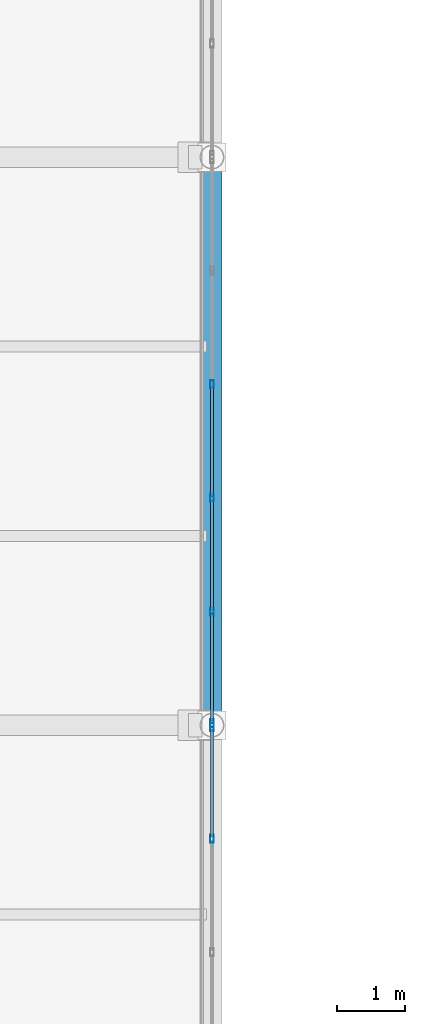
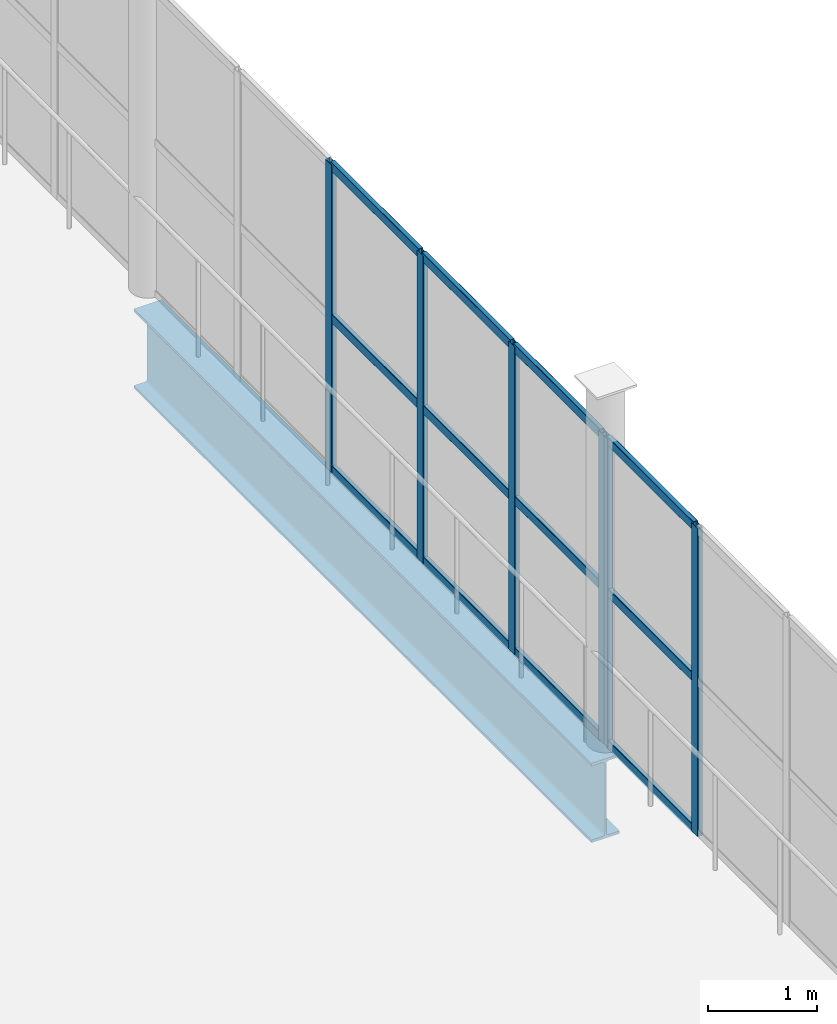
# One storey, part 57 of 184: 18 members, 1 beam, 2 elements without a shape of their own.
"""IFC4 building model written with IfcOpenShell, lengths in metres."""

from ifc_helpers import new_model, si_unit, direction, frame, origin, origin_2d, place, context, subcontext, project, spatial, hollow_rectangle, i_section, extrude, material, layer, layer_set, material_profile, profile_set, type_object, element, aggregate, save


model = new_model("IFC4")

# Units and contexts
model_context = context("Model", 3, precision=1e-05, world=origin(), true_north=direction((0.0, 1.0)))
body_context = subcontext(model_context, "Body", "Model", "MODEL_VIEW")
ifc_project = project(units=[si_unit("LENGTHUNIT", "METRE"), si_unit("AREAUNIT", "SQUARE_METRE"), si_unit("VOLUMEUNIT", "CUBIC_METRE"), si_unit("PLANEANGLEUNIT", "RADIAN"), si_unit("MASSUNIT", "GRAM", prefix="KILO")], contexts=[model_context])

# Site, building, storey
site_placement = place(None, origin())
site = spatial("IfcSite", under=ifc_project, at=site_placement, CompositionType="ELEMENT")
building_placement = place(site_placement, origin())
building = spatial("IfcBuilding", under=site, at=building_placement, Name="Qalvenar Corner Mobility Hub", CompositionType="ELEMENT")
storey_placement = place(building_placement, frame((0.0, 0.0, 9.0)))
storey = spatial("IfcBuildingStorey", under=building, at=storey_placement, Name="L02", CompositionType="ELEMENT", Elevation=9.0)

# Beam
ifc_material_1 = material(Name="Steel S355", Category="steel")
ifc_material_profile_1 = material_profile(ifc_material_1, i_section(OverallWidth=0.300048828125, OverallDepth=0.889892578125, WebThickness=0.01611328125, FlangeThickness=0.030029296875, FilletRadius=0.027099609375, at=origin_2d()), Name="HEA900")
ifc_profile_set_1 = profile_set([ifc_material_profile_1], Name="Steel S355")
beam_type = type_object("IfcBeamType", Name="BM-BRG900", PredefinedType="BEAM", material=ifc_profile_set_1)
beam_placement = place(storey_placement, frame((58.800048828125, 42.0, -0.635009765625), z_axis=(0.0, 1.0, 0.0), x_axis=(-1.0, 0.0, 0.0)))
element("IfcBeam", 1, at=beam_placement, inside=storey, type_object=beam_type, Name="Court Link Bridge Girder BRG-2177", PredefinedType="BEAM", context=body_context, shape_type="SweptSolid", body=[
    extrude(i_section(OverallWidth=0.300048828125, OverallDepth=0.889892578125, WebThickness=0.01611328125, FlangeThickness=0.030029296875, FilletRadius=0.027099609375, at=origin_2d()), origin(), (0.0, 0.0, 1.0), 8.39990234375),
])

# Curtain wall, members
ifc_material_2 = material(Name="Anodised Aluminium and Low-E Glazing", Category="aluminium")
ifc_layer = layer(ifc_material_2, 0.1201171875)
ifc_layer_set = layer_set([ifc_layer], Name="Anodised Aluminium and Low-E Glazing")
curtain_wall_type = type_object("IfcCurtainWallType", Name="CW-BRG-84X28", PredefinedType="NOTDEFINED", material=ifc_layer_set)
curtain_wall_1_placement = place(storey_placement, origin())
curtain_wall_1 = element("IfcCurtainWall", 2, at=curtain_wall_1_placement, inside=storey, type_object=curtain_wall_type, Name="Glazed Curtain Wall CW-BRG-L02-E0", PredefinedType="NOTDEFINED")
ifc_material_3 = material(Name="Anodised Aluminium 6063-T6", Category="aluminium")
ifc_material_profile_2 = material_profile(ifc_material_3, hollow_rectangle(XDim=0.054931640625, YDim=0.1201171875, WallThickness=0.00341796875, InnerFilletRadius=0.00341796875, OuterFilletRadius=0.007080078125, at=origin_2d()), Name="RHS120x55x3.5")
ifc_profile_set_2 = profile_set([ifc_material_profile_2], Name="Anodised Aluminium 6063-T6")
member_type_1 = type_object("IfcMemberType", Name="CW-MUL120", PredefinedType="MULLION", material=ifc_profile_set_2)
member_1_placement = place(storey_placement, frame((58.800048828125, 40.320068359375, 0.0), z_axis=(0.0, 0.0, 1.0), x_axis=(-1.0, 0.0, 0.0)))
member_1 = element("IfcMember", 3, at=member_1_placement, type_object=member_type_1, Name="CW-11 mullion 5", PredefinedType="MULLION", context=body_context, shape_type="SweptSolid", body=[
    extrude(hollow_rectangle(XDim=0.054931640625, YDim=0.1201171875, WallThickness=0.00341796875, InnerFilletRadius=0.00341796875, OuterFilletRadius=0.007080078125, at=origin_2d()), origin(), (0.0, 0.0, 1.0), 3.449951171875),
])
member_2_placement = place(storey_placement, frame((58.800048828125, 41.969970703125, 0.0), z_axis=(0.0, 0.0, 1.0), x_axis=(-1.0, 0.0, 0.0)))
member_2 = element("IfcMember", 4, at=member_2_placement, type_object=member_type_1, Name="CW-11 mullion 6", PredefinedType="MULLION", context=body_context, shape_type="SweptSolid", body=[
    extrude(hollow_rectangle(XDim=0.054931640625, YDim=0.1201171875, WallThickness=0.00341796875, InnerFilletRadius=0.00341796875, OuterFilletRadius=0.007080078125, at=origin_2d()), origin(), (0.0, 0.0, 1.0), 3.449951171875),
])

curtain_wall_2_placement = place(storey_placement, origin())
curtain_wall_2 = element("IfcCurtainWall", 5, at=curtain_wall_2_placement, inside=storey, type_object=curtain_wall_type, Name="Glazed Curtain Wall CW-BRG-L02-E1", PredefinedType="NOTDEFINED")
member_3_placement = place(storey_placement, frame((58.800048828125, 42.030029296875, 0.0), z_axis=(0.0, 0.0, 1.0), x_axis=(-1.0, 0.0, 0.0)))
member_3 = element("IfcMember", 6, at=member_3_placement, type_object=member_type_1, Name="CW-11 mullion 1", PredefinedType="MULLION", context=body_context, shape_type="SweptSolid", body=[
    extrude(hollow_rectangle(XDim=0.054931640625, YDim=0.1201171875, WallThickness=0.00341796875, InnerFilletRadius=0.00341796875, OuterFilletRadius=0.007080078125, at=origin_2d()), origin(), (0.0, 0.0, 1.0), 3.449951171875),
])
member_4_placement = place(storey_placement, frame((58.800048828125, 43.679931640625, 0.0), z_axis=(0.0, 0.0, 1.0), x_axis=(-1.0, 0.0, 0.0)))
member_4 = element("IfcMember", 7, at=member_4_placement, type_object=member_type_1, Name="CW-11 mullion 2", PredefinedType="MULLION", context=body_context, shape_type="SweptSolid", body=[
    extrude(hollow_rectangle(XDim=0.054931640625, YDim=0.1201171875, WallThickness=0.00341796875, InnerFilletRadius=0.00341796875, OuterFilletRadius=0.007080078125, at=origin_2d()), origin(), (0.0, 0.0, 1.0), 3.449951171875),
])
member_5_placement = place(storey_placement, frame((58.800048828125, 45.360107421875, 0.0), z_axis=(0.0, 0.0, 1.0), x_axis=(-1.0, 0.0, 0.0)))
member_5 = element("IfcMember", 8, at=member_5_placement, type_object=member_type_1, Name="CW-11 mullion 3", PredefinedType="MULLION", context=body_context, shape_type="SweptSolid", body=[
    extrude(hollow_rectangle(XDim=0.054931640625, YDim=0.1201171875, WallThickness=0.00341796875, InnerFilletRadius=0.00341796875, OuterFilletRadius=0.007080078125, at=origin_2d()), origin(), (0.0, 0.0, 1.0), 3.449951171875),
])
member_6_placement = place(storey_placement, frame((58.800048828125, 47.0400390625, 0.0), z_axis=(0.0, 0.0, 1.0), x_axis=(-1.0, 0.0, 0.0)))
member_6 = element("IfcMember", 9, at=member_6_placement, type_object=member_type_1, Name="CW-11 mullion 4", PredefinedType="MULLION", context=body_context, shape_type="SweptSolid", body=[
    extrude(hollow_rectangle(XDim=0.054931640625, YDim=0.1201171875, WallThickness=0.00341796875, InnerFilletRadius=0.00341796875, OuterFilletRadius=0.007080078125, at=origin_2d()), origin(), (0.0, 0.0, 1.0), 3.449951171875),
])

# Member
ifc_material_profile_3 = material_profile(ifc_material_3, hollow_rectangle(XDim=0.050048828125, YDim=0.10009765625, WallThickness=0.0029296875, InnerFilletRadius=0.0029296875, OuterFilletRadius=0.006103515625, at=origin_2d()), Name="RHS100x50x3")
ifc_profile_set_3 = profile_set([ifc_material_profile_3], Name="Anodised Aluminium 6063-T6")
member_type_2 = type_object("IfcMemberType", Name="CW-TRN100", PredefinedType="USERDEFINED", material=ifc_profile_set_3)
member_7_placement = place(storey_placement, frame((58.800048828125, 40.35009765625, 0.027587890625), z_axis=(0.0, 1.0, 0.0), x_axis=(-1.0, 0.0, 0.0)))
member_7 = element("IfcMember", 10, at=member_7_placement, type_object=member_type_2, Name="CW-11 transom 5.1", ObjectType="TRANSOM", PredefinedType="USERDEFINED", context=body_context, shape_type="SweptSolid", body=[
    extrude(hollow_rectangle(XDim=0.050048828125, YDim=0.10009765625, WallThickness=0.0029296875, InnerFilletRadius=0.0029296875, OuterFilletRadius=0.006103515625, at=origin_2d()), origin(), (0.0, 0.0, 1.0), 1.58984375),
])

member_8_placement = place(storey_placement, frame((58.800048828125, 40.35009765625, 1.72509765625), z_axis=(0.0, 1.0, 0.0), x_axis=(-1.0, 0.0, 0.0)))
member_8 = element("IfcMember", 11, at=member_8_placement, type_object=member_type_2, Name="CW-11 transom 5.2", ObjectType="TRANSOM", PredefinedType="USERDEFINED", context=body_context, shape_type="SweptSolid", body=[
    extrude(hollow_rectangle(XDim=0.050048828125, YDim=0.10009765625, WallThickness=0.0029296875, InnerFilletRadius=0.0029296875, OuterFilletRadius=0.006103515625, at=origin_2d()), origin(), (0.0, 0.0, 1.0), 1.58984375),
])

member_9_placement = place(storey_placement, frame((58.800048828125, 40.35009765625, 3.422607421875), z_axis=(0.0, 1.0, 0.0), x_axis=(-1.0, 0.0, 0.0)))
member_9 = element("IfcMember", 12, at=member_9_placement, type_object=member_type_2, Name="CW-11 transom 5.3", ObjectType="TRANSOM", PredefinedType="USERDEFINED", context=body_context, shape_type="SweptSolid", body=[
    extrude(hollow_rectangle(XDim=0.050048828125, YDim=0.10009765625, WallThickness=0.0029296875, InnerFilletRadius=0.0029296875, OuterFilletRadius=0.006103515625, at=origin_2d()), origin(), (0.0, 0.0, 1.0), 1.58984375),
])

aggregate(curtain_wall_1, [member_1, member_2, member_7, member_8, member_9])

member_10_placement = place(storey_placement, frame((58.800048828125, 42.06005859375, 0.027587890625), z_axis=(0.0, 1.0, 0.0), x_axis=(-1.0, 0.0, 0.0)))
member_10 = element("IfcMember", 13, at=member_10_placement, type_object=member_type_2, Name="CW-11 transom 1.1", ObjectType="TRANSOM", PredefinedType="USERDEFINED", context=body_context, shape_type="SweptSolid", body=[
    extrude(hollow_rectangle(XDim=0.050048828125, YDim=0.10009765625, WallThickness=0.0029296875, InnerFilletRadius=0.0029296875, OuterFilletRadius=0.006103515625, at=origin_2d()), origin(), (0.0, 0.0, 1.0), 1.58984375),
])

member_11_placement = place(storey_placement, frame((58.800048828125, 42.06005859375, 1.72509765625), z_axis=(0.0, 1.0, 0.0), x_axis=(-1.0, 0.0, 0.0)))
member_11 = element("IfcMember", 14, at=member_11_placement, type_object=member_type_2, Name="CW-11 transom 1.2", ObjectType="TRANSOM", PredefinedType="USERDEFINED", context=body_context, shape_type="SweptSolid", body=[
    extrude(hollow_rectangle(XDim=0.050048828125, YDim=0.10009765625, WallThickness=0.0029296875, InnerFilletRadius=0.0029296875, OuterFilletRadius=0.006103515625, at=origin_2d()), origin(), (0.0, 0.0, 1.0), 1.58984375),
])

member_12_placement = place(storey_placement, frame((58.800048828125, 42.06005859375, 3.422607421875), z_axis=(0.0, 1.0, 0.0), x_axis=(-1.0, 0.0, 0.0)))
member_12 = element("IfcMember", 15, at=member_12_placement, type_object=member_type_2, Name="CW-11 transom 1.3", ObjectType="TRANSOM", PredefinedType="USERDEFINED", context=body_context, shape_type="SweptSolid", body=[
    extrude(hollow_rectangle(XDim=0.050048828125, YDim=0.10009765625, WallThickness=0.0029296875, InnerFilletRadius=0.0029296875, OuterFilletRadius=0.006103515625, at=origin_2d()), origin(), (0.0, 0.0, 1.0), 1.58984375),
])

member_13_placement = place(storey_placement, frame((58.800048828125, 43.7099609375, 0.027587890625), z_axis=(0.0, 1.0, 0.0), x_axis=(-1.0, 0.0, 0.0)))
member_13 = element("IfcMember", 16, at=member_13_placement, type_object=member_type_2, Name="CW-11 transom 2.1", ObjectType="TRANSOM", PredefinedType="USERDEFINED", context=body_context, shape_type="SweptSolid", body=[
    extrude(hollow_rectangle(XDim=0.050048828125, YDim=0.10009765625, WallThickness=0.0029296875, InnerFilletRadius=0.0029296875, OuterFilletRadius=0.006103515625, at=origin_2d()), origin(), (0.0, 0.0, 1.0), 1.6201171875),
])

member_14_placement = place(storey_placement, frame((58.800048828125, 43.7099609375, 1.72509765625), z_axis=(0.0, 1.0, 0.0), x_axis=(-1.0, 0.0, 0.0)))
member_14 = element("IfcMember", 17, at=member_14_placement, type_object=member_type_2, Name="CW-11 transom 2.2", ObjectType="TRANSOM", PredefinedType="USERDEFINED", context=body_context, shape_type="SweptSolid", body=[
    extrude(hollow_rectangle(XDim=0.050048828125, YDim=0.10009765625, WallThickness=0.0029296875, InnerFilletRadius=0.0029296875, OuterFilletRadius=0.006103515625, at=origin_2d()), origin(), (0.0, 0.0, 1.0), 1.6201171875),
])

member_15_placement = place(storey_placement, frame((58.800048828125, 43.7099609375, 3.422607421875), z_axis=(0.0, 1.0, 0.0), x_axis=(-1.0, 0.0, 0.0)))
member_15 = element("IfcMember", 18, at=member_15_placement, type_object=member_type_2, Name="CW-11 transom 2.3", ObjectType="TRANSOM", PredefinedType="USERDEFINED", context=body_context, shape_type="SweptSolid", body=[
    extrude(hollow_rectangle(XDim=0.050048828125, YDim=0.10009765625, WallThickness=0.0029296875, InnerFilletRadius=0.0029296875, OuterFilletRadius=0.006103515625, at=origin_2d()), origin(), (0.0, 0.0, 1.0), 1.6201171875),
])

member_16_placement = place(storey_placement, frame((58.800048828125, 45.389892578125, 0.027587890625), z_axis=(0.0, 1.0, 0.0), x_axis=(-1.0, 0.0, 0.0)))
member_16 = element("IfcMember", 19, at=member_16_placement, type_object=member_type_2, Name="CW-11 transom 3.1", ObjectType="TRANSOM", PredefinedType="USERDEFINED", context=body_context, shape_type="SweptSolid", body=[
    extrude(hollow_rectangle(XDim=0.050048828125, YDim=0.10009765625, WallThickness=0.0029296875, InnerFilletRadius=0.0029296875, OuterFilletRadius=0.006103515625, at=origin_2d()), origin(), (0.0, 0.0, 1.0), 1.6201171875),
])

member_17_placement = place(storey_placement, frame((58.800048828125, 45.389892578125, 1.72509765625), z_axis=(0.0, 1.0, 0.0), x_axis=(-1.0, 0.0, 0.0)))
member_17 = element("IfcMember", 20, at=member_17_placement, type_object=member_type_2, Name="CW-11 transom 3.2", ObjectType="TRANSOM", PredefinedType="USERDEFINED", context=body_context, shape_type="SweptSolid", body=[
    extrude(hollow_rectangle(XDim=0.050048828125, YDim=0.10009765625, WallThickness=0.0029296875, InnerFilletRadius=0.0029296875, OuterFilletRadius=0.006103515625, at=origin_2d()), origin(), (0.0, 0.0, 1.0), 1.6201171875),
])

member_18_placement = place(storey_placement, frame((58.800048828125, 45.389892578125, 3.422607421875), z_axis=(0.0, 1.0, 0.0), x_axis=(-1.0, 0.0, 0.0)))
member_18 = element("IfcMember", 21, at=member_18_placement, type_object=member_type_2, Name="CW-11 transom 3.3", ObjectType="TRANSOM", PredefinedType="USERDEFINED", context=body_context, shape_type="SweptSolid", body=[
    extrude(hollow_rectangle(XDim=0.050048828125, YDim=0.10009765625, WallThickness=0.0029296875, InnerFilletRadius=0.0029296875, OuterFilletRadius=0.006103515625, at=origin_2d()), origin(), (0.0, 0.0, 1.0), 1.6201171875),
])

aggregate(curtain_wall_2, [member_3, member_4, member_5, member_6, member_10, member_11, member_12, member_13, member_14, member_15, member_16, member_17, member_18])

save(model, "model.ifc")
